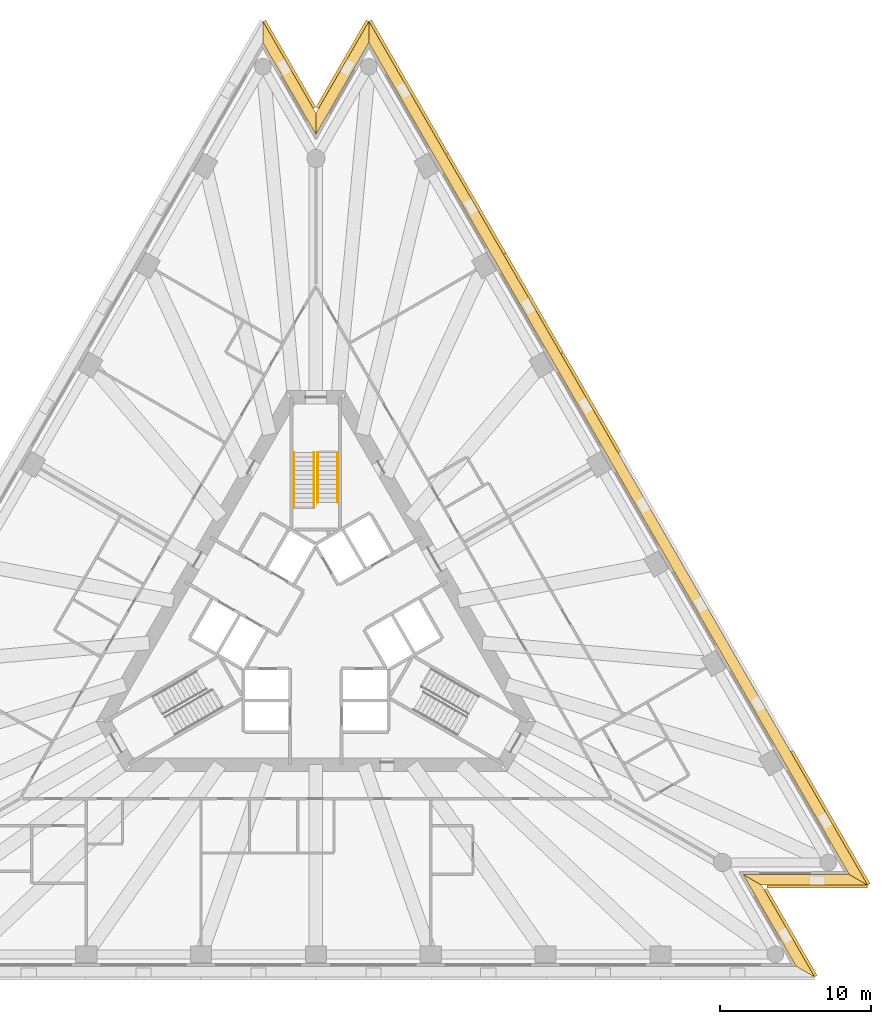
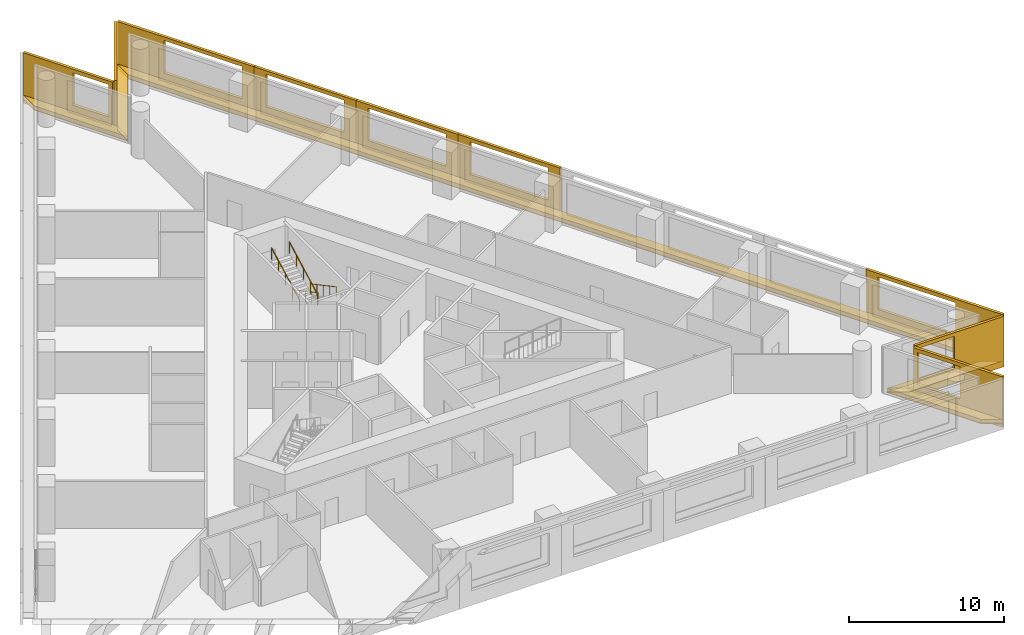
# One storey, part 11 of 11: 14 shading devices, 5 coverings, 4 railings, 1 element without a shape of its own.
"""IFC4 building model written with IfcOpenShell, lengths in metres."""

from ifc_helpers import new_model, si_unit, direction, frame, origin, origin_2d, place, context, subcontext, project, spatial, polyline, circle, outline, extrude, material, layer, layer_set, layer_usage, type_object, element, aggregate, save


model = new_model("IFC4")

# Units and contexts
model_context = context("Model", 3, precision=1e-05, world=origin(), true_north=direction((0.0, 1.0)))
body_context = subcontext(model_context, "Body", "Model", "MODEL_VIEW")
ifc_project = project(units=[si_unit("LENGTHUNIT", "METRE"), si_unit("AREAUNIT", "SQUARE_METRE"), si_unit("VOLUMEUNIT", "CUBIC_METRE"), si_unit("PLANEANGLEUNIT", "RADIAN"), si_unit("MASSUNIT", "GRAM", prefix="KILO")], contexts=[model_context])

# Site, building, storey
site_placement = place(None, origin())
site = spatial("IfcSite", under=ifc_project, at=site_placement, CompositionType="ELEMENT")
building_placement = place(site_placement, origin())
building = spatial("IfcBuilding", under=site, at=building_placement, Name="Triada Interchange Tower", CompositionType="ELEMENT")
storey_placement = place(building_placement, frame((0.0, 0.0, 43.300048828125)))
storey = spatial("IfcBuildingStorey", under=building, at=storey_placement, Name="L08", CompositionType="ELEMENT", Elevation=43.300048828125)

# Coverings
ifc_material_1 = material(Name="Mineral fire-stop board")
ifc_layer_1 = layer(ifc_material_1, 0.0400390625, Name="Mineral fire-stop board")
ifc_material_2 = material(Name="Intumescent sealant")
ifc_layer_2 = layer(ifc_material_2, 0.010009765625, Name="Intumescent seal")
ifc_layer_set_1 = layer_set([ifc_layer_1, ifc_layer_2], Name="Cavity fire stop")
ifc_layer_usage = layer_usage(ifc_layer_set_1, "AXIS3", "POSITIVE", 0.0)
covering_type = type_object("IfcCoveringType", Name="Cavity fire stop", PredefinedType="INSULATION", material=ifc_layer_set_1)
covering_1_placement = place(storey_placement, origin())
element("IfcCovering", 1, at=covering_1_placement, inside=storey, type_object=covering_type, material=ifc_layer_usage, Name="Cavity fire stop L08 SE-1", PredefinedType="INSULATION", context=body_context, shape_type="SweptSolid", body=[
    extrude(outline(polyline([(31.782958984375, -22.39990234375), (32.9951171875, -23.10009765625), (29.488037109375, -17.02490234375), (28.27587890625, -16.324951171875), (31.782958984375, -22.39990234375)])), origin(), (0.0, 0.0, 1.0), 0.050048828125),
])
covering_2_placement = place(storey_placement, origin())
element("IfcCovering", 2, at=covering_2_placement, inside=storey, type_object=covering_type, material=ifc_layer_usage, Name="Cavity fire stop L08 SE-2", PredefinedType="INSULATION", context=body_context, shape_type="SweptSolid", body=[
    extrude(outline(polyline([(28.27587890625, -16.324951171875), (29.488037109375, -17.02490234375), (36.5029296875, -17.02490234375), (35.291015625, -16.324951171875), (28.27587890625, -16.324951171875)])), origin(), (0.0, 0.0, 1.0), 0.050048828125),
])
covering_3_placement = place(storey_placement, origin())
element("IfcCovering", 3, at=covering_3_placement, inside=storey, type_object=covering_type, material=ifc_layer_usage, Name="Cavity fire stop L08 NE", PredefinedType="INSULATION", context=body_context, shape_type="SweptSolid", body=[
    extrude(outline(polyline([(35.291015625, -16.324951171875), (36.5029296875, -17.02490234375), (3.507080078125, 40.125), (3.507080078125, 38.72509765625), (35.291015625, -16.324951171875)])), origin(), (0.0, 0.0, 1.0), 0.050048828125),
])
covering_4_placement = place(storey_placement, origin())
element("IfcCovering", 4, at=covering_4_placement, inside=storey, type_object=covering_type, material=ifc_layer_usage, Name="Cavity fire stop L08 N-1", PredefinedType="INSULATION", context=body_context, shape_type="SweptSolid", body=[
    extrude(outline(polyline([(3.507080078125, 38.72509765625), (3.507080078125, 40.125), (0.0, 34.050048828125), (0.0, 32.64990234375), (3.507080078125, 38.72509765625)])), origin(), (0.0, 0.0, 1.0), 0.050048828125),
])
covering_5_placement = place(storey_placement, origin())
element("IfcCovering", 5, at=covering_5_placement, inside=storey, type_object=covering_type, material=ifc_layer_usage, Name="Cavity fire stop L08 N-2", PredefinedType="INSULATION", context=body_context, shape_type="SweptSolid", body=[
    extrude(outline(polyline([(0.0, 32.64990234375), (0.0, 34.050048828125), (-3.507080078125, 40.125), (-3.507080078125, 38.72509765625), (0.0, 32.64990234375)])), origin(), (0.0, 0.0, 1.0), 0.050048828125),
])

# Shading devices
ifc_material_3 = material(Name="Aluminium louvre", Category="aluminium")
shading_device_type_1 = type_object("IfcShadingDeviceType", Name="Cavity louvre grille", PredefinedType="JALOUSIE", material=ifc_material_3)
shading_device_1_placement = place(storey_placement, frame((0.0, 0.0, 0.050048828125)))
element("IfcShadingDevice", 6, at=shading_device_1_placement, inside=storey, type_object=shading_device_type_1, Name="Cavity louvre grille L08 SE-1", PredefinedType="JALOUSIE", context=body_context, shape_type="SweptSolid", body=[
    extrude(outline(polyline([(31.782958984375, -22.39990234375), (32.9951171875, -23.10009765625), (29.488037109375, -17.02490234375), (28.27587890625, -16.324951171875), (31.782958984375, -22.39990234375)])), origin(), (0.0, 0.0, 1.0), 0.2998046875),
])
shading_device_2_placement = place(storey_placement, frame((0.0, 0.0, 0.050048828125)))
element("IfcShadingDevice", 7, at=shading_device_2_placement, inside=storey, type_object=shading_device_type_1, Name="Cavity louvre grille L08 SE-2", PredefinedType="JALOUSIE", context=body_context, shape_type="SweptSolid", body=[
    extrude(outline(polyline([(28.27587890625, -16.324951171875), (29.488037109375, -17.02490234375), (36.5029296875, -17.02490234375), (35.291015625, -16.324951171875), (28.27587890625, -16.324951171875)])), origin(), (0.0, 0.0, 1.0), 0.2998046875),
])
shading_device_3_placement = place(storey_placement, frame((0.0, 0.0, 0.050048828125)))
element("IfcShadingDevice", 8, at=shading_device_3_placement, inside=storey, type_object=shading_device_type_1, Name="Cavity louvre grille L08 NE", PredefinedType="JALOUSIE", context=body_context, shape_type="SweptSolid", body=[
    extrude(outline(polyline([(35.291015625, -16.324951171875), (36.5029296875, -17.02490234375), (3.507080078125, 40.125), (3.507080078125, 38.72509765625), (35.291015625, -16.324951171875)])), origin(), (0.0, 0.0, 1.0), 0.2998046875),
])
shading_device_4_placement = place(storey_placement, frame((0.0, 0.0, 0.050048828125)))
element("IfcShadingDevice", 9, at=shading_device_4_placement, inside=storey, type_object=shading_device_type_1, Name="Cavity louvre grille L08 N-1", PredefinedType="JALOUSIE", context=body_context, shape_type="SweptSolid", body=[
    extrude(outline(polyline([(3.507080078125, 38.72509765625), (3.507080078125, 40.125), (0.0, 34.050048828125), (0.0, 32.64990234375), (3.507080078125, 38.72509765625)])), origin(), (0.0, 0.0, 1.0), 0.2998046875),
])
shading_device_5_placement = place(storey_placement, frame((0.0, 0.0, 0.050048828125)))
element("IfcShadingDevice", 10, at=shading_device_5_placement, inside=storey, type_object=shading_device_type_1, Name="Cavity louvre grille L08 N-2", PredefinedType="JALOUSIE", context=body_context, shape_type="SweptSolid", body=[
    extrude(outline(polyline([(0.0, 32.64990234375), (0.0, 34.050048828125), (-3.507080078125, 40.125), (-3.507080078125, 38.72509765625), (0.0, 32.64990234375)])), origin(), (0.0, 0.0, 1.0), 0.2998046875),
])
ifc_material_4 = material(Name="Concrete C50/60 precast", Category="concrete")
ifc_layer_3 = layer(ifc_material_4, 0.02001953125, Name="Exposed aggregate face")
ifc_layer_4 = layer(ifc_material_4, 0.179931640625, Name="Precast concrete screen")
ifc_layer_set_2 = layer_set([ifc_layer_3, ifc_layer_4], Name="Outer skin screen panel 3980")
shading_device_type_2 = type_object("IfcShadingDeviceType", Name="Outer skin screen panel 3980", PredefinedType="SHUTTER", material=ifc_layer_set_2)
shading_device_6_placement = place(storey_placement, frame((32.989990234375, -23.091064453125, -0.2900390625), z_axis=(0.0, 0.0, 1.0), x_axis=(-0.50001386285, 0.866017399916, 0.0)))
element("IfcShadingDevice", 11, at=shading_device_6_placement, inside=storey, type_object=shading_device_type_2, Name="Outer skin screen panel L08 19", PredefinedType="SHUTTER", context=body_context, shape_type="SweptSolid", body=[
    extrude(outline(polyline([(0.0, 0.0), (6.647705078125, 0.0), (6.647705078125, 3.97998046875), (0.0, 3.97998046875), (0.0, 0.0)]), holes=[polyline([(3.17529296875, 1.139892578125), (3.17529296875, 3.68994140625), (6.347900390625, 3.68994140625), (6.347900390625, 1.139892578125), (3.17529296875, 1.139892578125)])]), frame((0.0, 0.0, 0.0), z_axis=(0.0, -1.0, 0.0), x_axis=(1.0, 0.0, 0.0)), (0.0, 0.0, 1.0), 0.199951171875),
])
shading_device_7_placement = place(storey_placement, frame((29.844970703125, -17.02490234375, -0.2900390625), z_axis=(0.0, 0.0, 1.0), x_axis=(1.0, 0.0, 0.0)))
element("IfcShadingDevice", 12, at=shading_device_7_placement, inside=storey, type_object=shading_device_type_2, Name="Outer skin screen panel L08 20", PredefinedType="SHUTTER", context=body_context, shape_type="SweptSolid", body=[
    extrude(outline(polyline([(0.0, 0.0), (6.64794921875, 0.0), (6.64794921875, 3.97998046875), (0.0, 3.97998046875), (0.0, 0.0)]), holes=[polyline([(0.300048828125, 1.139892578125), (0.300048828125, 3.68994140625), (2.9580078125, 3.68994140625), (2.9580078125, 1.139892578125), (0.300048828125, 1.139892578125)])]), frame((0.0, 0.0, 0.0), z_axis=(0.0, -1.0, 0.0), x_axis=(1.0, 0.0, 0.0)), (0.0, 0.0, 1.0), 0.199951171875),
])
shading_device_8_placement = place(storey_placement, frame((36.498046875, -17.01611328125, -0.2900390625), z_axis=(0.0, 0.0, 1.0), x_axis=(-0.500016609325, 0.866015814174, 0.0)))
element("IfcShadingDevice", 13, at=shading_device_8_placement, inside=storey, type_object=shading_device_type_2, Name="Outer skin screen panel L08 21", PredefinedType="SHUTTER", context=body_context, shape_type="SweptSolid", body=[
    extrude(outline(polyline([(0.0, 0.0), (10.177978515625, 0.0), (10.177978515625, 3.97998046875), (0.0, 3.97998046875), (0.0, 0.0)]), holes=[polyline([(3.4873046875, 1.139892578125), (3.4873046875, 3.68994140625), (9.287353515625, 3.68994140625), (9.287353515625, 1.139892578125), (3.4873046875, 1.139892578125)])]), frame((0.0, 0.0, 0.0), z_axis=(0.0, -1.0, 0.0), x_axis=(1.0, 0.0, 0.0)), (0.0, 0.0, 1.0), 0.199951171875),
])
shading_device_9_placement = place(storey_placement, frame((20.0, 11.55908203125, -0.2900390625), z_axis=(0.0, 0.0, 1.0), x_axis=(-0.500032870163, 0.866006425355, 0.0)))
element("IfcShadingDevice", 14, at=shading_device_9_placement, inside=storey, type_object=shading_device_type_2, Name="Outer skin screen panel L08 25", PredefinedType="SHUTTER", context=body_context, shape_type="SweptSolid", body=[
    extrude(outline(polyline([(0.0, 0.0), (7.57958984375, 0.0), (7.57958984375, 3.97998046875), (0.0, 3.97998046875), (0.0, 0.0)]), holes=[polyline([(0.8896484375, 1.139892578125), (0.8896484375, 3.68994140625), (6.689697265625, 3.68994140625), (6.689697265625, 1.139892578125), (0.8896484375, 1.139892578125)])]), frame((0.0, 0.0, 0.0), z_axis=(0.0, -1.0, 0.0), x_axis=(1.0, 0.0, 0.0)), (0.0, 0.0, 1.0), 0.199951171875),
])
shading_device_10_placement = place(storey_placement, frame((16.199951171875, 18.139892578125, -0.2900390625), z_axis=(0.0, 0.0, 1.0), x_axis=(-0.499922287265, 0.866070266604, 0.0)))
element("IfcShadingDevice", 15, at=shading_device_10_placement, inside=storey, type_object=shading_device_type_2, Name="Outer skin screen panel L08 26", PredefinedType="SHUTTER", context=body_context, shape_type="SweptSolid", body=[
    extrude(outline(polyline([(0.0, 0.0), (7.579345703125, 0.0), (7.579345703125, 3.97998046875), (0.0, 3.97998046875), (0.0, 0.0)]), holes=[polyline([(0.88916015625, 1.139892578125), (0.88916015625, 3.68994140625), (6.689208984375, 3.68994140625), (6.689208984375, 1.139892578125), (0.88916015625, 1.139892578125)])]), frame((0.0, 0.0, 0.0), z_axis=(0.0, -1.0, 0.0), x_axis=(1.0, 0.0, 0.0)), (0.0, 0.0, 1.0), 0.199951171875),
])
shading_device_11_placement = place(storey_placement, frame((12.40087890625, 24.720947265625, -0.2900390625), z_axis=(0.0, 0.0, 1.0), x_axis=(-0.500008712905, 0.866020373328, 0.0)))
element("IfcShadingDevice", 16, at=shading_device_11_placement, inside=storey, type_object=shading_device_type_2, Name="Outer skin screen panel L08 27", PredefinedType="SHUTTER", context=body_context, shape_type="SweptSolid", body=[
    extrude(outline(polyline([(0.0, 0.0), (7.579345703125, 0.0), (7.579345703125, 3.97998046875), (0.0, 3.97998046875), (0.0, 0.0)]), holes=[polyline([(0.889892578125, 1.139892578125), (0.889892578125, 3.68994140625), (6.689697265625, 3.68994140625), (6.689697265625, 1.139892578125), (0.889892578125, 1.139892578125)])]), frame((0.0, 0.0, 0.0), z_axis=(0.0, -1.0, 0.0), x_axis=(1.0, 0.0, 0.0)), (0.0, 0.0, 1.0), 0.199951171875),
])
shading_device_12_placement = place(storey_placement, frame((8.60107421875, 31.302001953125, -0.2900390625), z_axis=(0.0, 0.0, 1.0), x_axis=(-0.500026996568, 0.866009816748, 0.0)))
element("IfcShadingDevice", 17, at=shading_device_12_placement, inside=storey, type_object=shading_device_type_2, Name="Outer skin screen panel L08 28", PredefinedType="SHUTTER", context=body_context, shape_type="SweptSolid", body=[
    extrude(outline(polyline([(0.0, 0.0), (10.177734375, 0.0), (10.177734375, 3.97998046875), (0.0, 3.97998046875), (0.0, 0.0)]), holes=[polyline([(0.889404296875, 1.139892578125), (0.889404296875, 3.68994140625), (6.689453125, 3.68994140625), (6.689453125, 1.139892578125), (0.889404296875, 1.139892578125)])]), frame((0.0, 0.0, 0.0), z_axis=(0.0, -1.0, 0.0), x_axis=(1.0, 0.0, 0.0)), (0.0, 0.0, 1.0), 0.199951171875),
])
shading_device_13_placement = place(storey_placement, frame((3.501953125, 40.115966796875, -0.2900390625), z_axis=(0.0, 0.0, 1.0), x_axis=(-0.50001386285, -0.866017399916, 0.0)))
element("IfcShadingDevice", 18, at=shading_device_13_placement, inside=storey, type_object=shading_device_type_2, Name="Outer skin screen panel L08 29", PredefinedType="SHUTTER", context=body_context, shape_type="SweptSolid", body=[
    extrude(outline(polyline([(0.0, 0.0), (6.647705078125, 0.0), (6.647705078125, 3.97998046875), (0.0, 3.97998046875), (0.0, 0.0)]), holes=[polyline([(3.175537109375, 1.139892578125), (3.175537109375, 3.68994140625), (6.34814453125, 3.68994140625), (6.34814453125, 1.139892578125), (3.175537109375, 1.139892578125)])]), frame((0.0, 0.0, 0.0), z_axis=(0.0, -1.0, 0.0), x_axis=(1.0, 0.0, 0.0)), (0.0, 0.0, 1.0), 0.199951171875),
])
shading_device_14_placement = place(storey_placement, frame((-0.177978515625, 34.35888671875, -0.2900390625), z_axis=(0.0, 0.0, 1.0), x_axis=(-0.50001386285, 0.866017399916, 0.0)))
element("IfcShadingDevice", 19, at=shading_device_14_placement, inside=storey, type_object=shading_device_type_2, Name="Outer skin screen panel L08 30", PredefinedType="SHUTTER", context=body_context, shape_type="SweptSolid", body=[
    extrude(outline(polyline([(0.0, 0.0), (6.647705078125, 0.0), (6.647705078125, 3.97998046875), (0.0, 3.97998046875), (0.0, 0.0)]), holes=[polyline([(0.300048828125, 1.139892578125), (0.300048828125, 3.68994140625), (2.957763671875, 3.68994140625), (2.957763671875, 1.139892578125), (0.300048828125, 1.139892578125)])]), frame((0.0, 0.0, 0.0), z_axis=(0.0, -1.0, 0.0), x_axis=(1.0, 0.0, 0.0)), (0.0, 0.0, 1.0), 0.199951171875),
])

# Stair, railings
ifc_material_5 = material(Name="Concrete C35/45", Category="concrete")
stair_type = type_object("IfcStairType", Name="HALF TURN STAIR 1400", PredefinedType="HALF_TURN_STAIR", material=ifc_material_5)
stair_placement = place(storey_placement, origin())
stair = element("IfcStair", 20, at=stair_placement, inside=storey, type_object=stair_type, Name="Exit stair S06-1", PredefinedType="HALF_TURN_STAIR")
ifc_material_6 = material(Name="Stainless steel 1.4301", Category="steel")
railing_type = type_object("IfcRailingType", Name="STAIR HANDRAIL 900", PredefinedType="HANDRAIL", material=ifc_material_6)
railing_1_placement = place(storey_placement, frame((1.449951171875, 11.60009765625, 0.159912109375)))
railing_1 = element("IfcRailing", 21, at=railing_1_placement, type_object=railing_type, Name="Handrail S06-1 1W", PredefinedType="HANDRAIL", context=body_context, shape_type="SweptSolid", body=[
    extrude(circle(Radius=0.02392578125, at=origin_2d()), frame((0.0, 0.0, 0.8759765625), z_axis=(0.0, -0.882354748157, 0.47058484719), x_axis=(1.0, 0.0, 0.0)), (0.0, 0.0, 1.0), 3.739990234375),
    extrude(circle(Radius=0.02099609375, at=origin_2d()), origin(), (0.0, 0.0, 1.0), 0.851806640625),
    extrude(circle(Radius=0.02099609375, at=origin_2d()), frame((0.0, -0.824951171875, 0.43994140625)), (0.0, 0.0, 1.0), 0.851806640625),
    extrude(circle(Radius=0.02099609375, at=origin_2d()), frame((0.0, -1.64990234375, 0.8798828125)), (0.0, 0.0, 1.0), 0.851806640625),
    extrude(circle(Radius=0.02099609375, at=origin_2d()), frame((0.0, -2.47509765625, 1.320068359375)), (0.0, 0.0, 1.0), 0.851806640625),
    extrude(circle(Radius=0.02099609375, at=origin_2d()), frame((0.0, -3.300048828125, 1.760009765625)), (0.0, 0.0, 1.0), 0.851806640625),
])
railing_2_placement = place(storey_placement, frame((0.1201171875, 11.60009765625, 0.159912109375)))
railing_2 = element("IfcRailing", 22, at=railing_2_placement, type_object=railing_type, Name="Handrail S06-1 1C", PredefinedType="HANDRAIL", context=body_context, shape_type="SweptSolid", body=[
    extrude(circle(Radius=0.02392578125, at=origin_2d()), frame((0.0, 0.0, 0.8759765625), z_axis=(0.0, -0.882354748157, 0.47058484719), x_axis=(1.0, 0.0, 0.0)), (0.0, 0.0, 1.0), 3.739990234375),
    extrude(circle(Radius=0.02099609375, at=origin_2d()), origin(), (0.0, 0.0, 1.0), 0.851806640625),
    extrude(circle(Radius=0.02099609375, at=origin_2d()), frame((0.0, -0.824951171875, 0.43994140625)), (0.0, 0.0, 1.0), 0.851806640625),
    extrude(circle(Radius=0.02099609375, at=origin_2d()), frame((0.0, -1.64990234375, 0.8798828125)), (0.0, 0.0, 1.0), 0.851806640625),
    extrude(circle(Radius=0.02099609375, at=origin_2d()), frame((0.0, -2.47509765625, 1.320068359375)), (0.0, 0.0, 1.0), 0.851806640625),
    extrude(circle(Radius=0.02099609375, at=origin_2d()), frame((0.0, -3.300048828125, 1.760009765625)), (0.0, 0.0, 1.0), 0.851806640625),
])
railing_3_placement = place(storey_placement, frame((-1.449951171875, 8.0, 2.079833984375)))
railing_3 = element("IfcRailing", 23, at=railing_3_placement, type_object=railing_type, Name="Handrail S06-1 2W", PredefinedType="HANDRAIL", context=body_context, shape_type="SweptSolid", body=[
    extrude(circle(Radius=0.02392578125, at=origin_2d()), frame((0.0, 0.0, 0.8759765625), z_axis=(0.0, 0.882341346394, 0.470609974867), x_axis=(-1.0, 0.0, 0.0)), (0.0, 0.0, 1.0), 4.080078125),
    extrude(circle(Radius=0.02099609375, at=origin_2d()), origin(), (0.0, 0.0, 1.0), 0.851806640625),
    extrude(circle(Radius=0.02099609375, at=origin_2d()), frame((0.0, 0.89990234375, 0.47998046875)), (0.0, 0.0, 1.0), 0.851806640625),
    extrude(circle(Radius=0.02099609375, at=origin_2d()), frame((0.0, 1.800048828125, 0.9599609375)), (0.0, 0.0, 1.0), 0.851806640625),
    extrude(circle(Radius=0.02099609375, at=origin_2d()), frame((0.0, 2.7001953125, 1.440185546875)), (0.0, 0.0, 1.0), 0.851806640625),
    extrude(circle(Radius=0.02099609375, at=origin_2d()), frame((0.0, 3.60009765625, 1.920166015625)), (0.0, 0.0, 1.0), 0.851806640625),
])
railing_4_placement = place(storey_placement, frame((-0.1201171875, 8.0, 2.079833984375)))
railing_4 = element("IfcRailing", 24, at=railing_4_placement, type_object=railing_type, Name="Handrail S06-1 2C", PredefinedType="HANDRAIL", context=body_context, shape_type="SweptSolid", body=[
    extrude(circle(Radius=0.02392578125, at=origin_2d()), frame((0.0, 0.0, 0.8759765625), z_axis=(0.0, 0.882341346394, 0.470609974867), x_axis=(-1.0, 0.0, 0.0)), (0.0, 0.0, 1.0), 4.080078125),
    extrude(circle(Radius=0.02099609375, at=origin_2d()), origin(), (0.0, 0.0, 1.0), 0.851806640625),
    extrude(circle(Radius=0.02099609375, at=origin_2d()), frame((0.0, 0.89990234375, 0.47998046875)), (0.0, 0.0, 1.0), 0.851806640625),
    extrude(circle(Radius=0.02099609375, at=origin_2d()), frame((0.0, 1.800048828125, 0.9599609375)), (0.0, 0.0, 1.0), 0.851806640625),
    extrude(circle(Radius=0.02099609375, at=origin_2d()), frame((0.0, 2.7001953125, 1.440185546875)), (0.0, 0.0, 1.0), 0.851806640625),
    extrude(circle(Radius=0.02099609375, at=origin_2d()), frame((0.0, 3.60009765625, 1.920166015625)), (0.0, 0.0, 1.0), 0.851806640625),
])
aggregate(stair, [railing_1, railing_2, railing_3, railing_4])

save(model, "model.ifc")
